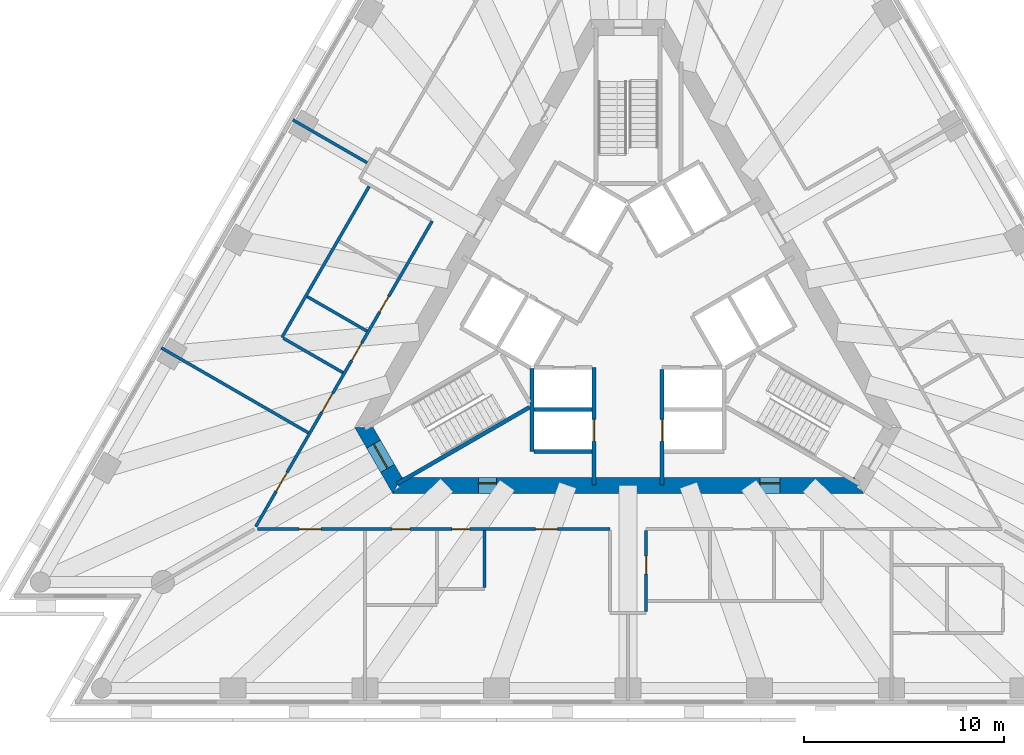
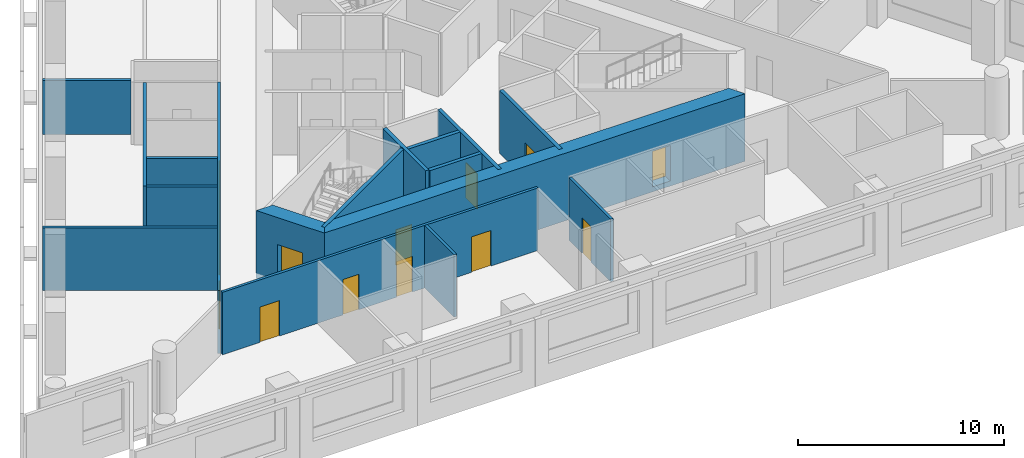
# One storey, part 3 of 10: 17 walls, 14 doors, 14 openings.
"""IFC4 building model written with IfcOpenShell, lengths in metres."""

from ifc_helpers import new_model, si_unit, direction, frame, frame_2d, origin, place, context, subcontext, project, spatial, polyline, rectangle, outline, extrude, material, layer, layer_set, type_object, element, fill, save


model = new_model("IFC4")

# Units and contexts
model_context = context("Model", 3, precision=1e-05, world=origin(), true_north=direction((0.0, 1.0)))
body_context = subcontext(model_context, "Body", "Model", "MODEL_VIEW")
ifc_project = project(units=[si_unit("LENGTHUNIT", "METRE"), si_unit("AREAUNIT", "SQUARE_METRE"), si_unit("VOLUMEUNIT", "CUBIC_METRE"), si_unit("PLANEANGLEUNIT", "RADIAN"), si_unit("MASSUNIT", "GRAM", prefix="KILO")], contexts=[model_context])

# Site, building, storey
site_placement = place(None, origin())
site = spatial("IfcSite", under=ifc_project, at=site_placement, CompositionType="ELEMENT")
building_placement = place(site_placement, origin())
building = spatial("IfcBuilding", under=site, at=building_placement, Name="Triada Interchange Tower", CompositionType="ELEMENT")
storey_placement = place(building_placement, frame((0.0, 0.0, 152.300048828125)))
storey = spatial("IfcBuildingStorey", under=building, at=storey_placement, Name="L35", CompositionType="ELEMENT", Elevation=152.300048828125)

# Walls
ifc_material_1 = material(Name="Concrete C30/37", Category="concrete")
ifc_layer_1 = layer(ifc_material_1, 0.199951171875)
ifc_layer_set_1 = layer_set([ifc_layer_1], Name="CORE WALL 200 EI 120")
wall_type_1 = type_object("IfcWallType", Name="CORE WALL 200 EI 120", PredefinedType="SOLIDWALL", material=ifc_layer_set_1)
wall_1_placement = place(storey_placement, frame((-4.800048828125, -6.89990234375, 0.0), z_axis=(0.0, 0.0, 1.0), x_axis=(0.0, 1.0, 0.0)))
element("IfcWall", 1, at=wall_1_placement, inside=storey, type_object=wall_type_1, Name="Wall L35 53", PredefinedType="SOLIDWALL", context=body_context, shape_type="SweptSolid", body=[
    extrude(rectangle(XDim=4.130859375, YDim=0.199951171875, at=frame_2d((2.0654296875, 0.0))), origin(), (0.0, 0.0, 1.0), 3.699951171875),
])
for number, where, z_axis, x_axis, name in (
    (2, (-4.699951171875, -6.89990234375, 0.0), (0.0, 0.0, 1.0), (1.0, 0.0, 0.0), "Wall L35 54"),
    (3, (-4.699951171875, -4.800048828125, 0.0), (0.0, 0.0, 1.0), (1.0, 0.0, 0.0), "Wall L35 56"),
):
    element("IfcWall", number, at=place(storey_placement, frame(where, z_axis=z_axis, x_axis=x_axis)), inside=storey, type_object=wall_type_1, Name=name, PredefinedType="SOLIDWALL", context=body_context, shape_type="SweptSolid", body=[
        extrude(rectangle(XDim=2.89990234375, YDim=0.199951171875, at=frame_2d((1.449951171875, 0.0))), origin(), (0.0, 0.0, 1.0), 3.699951171875),
    ])

# Wall, opening, door
wall_2_placement = place(storey_placement, frame((-1.699951171875, -8.580078125, 0.0), z_axis=(0.0, 0.0, 1.0), x_axis=(0.0, 1.0, 0.0)))
wall_2 = element("IfcWall", 4, at=wall_2_placement, inside=storey, type_object=wall_type_1, Name="Wall L35 58", PredefinedType="SOLIDWALL", context=body_context, shape_type="SweptSolid", body=[
    extrude(rectangle(XDim=5.877197265625, YDim=0.199951171875, at=frame_2d((2.9384765625, 0.0))), origin(), (0.0, 0.0, 1.0), 3.699951171875),
])
opening_1_placement = place(wall_2_placement, frame((2.179931640625, 0.0, 0.0)))
opening_1 = element("IfcOpeningElement", 5, at=opening_1_placement, cuts=wall_2, Name="Opening LD-LR4", PredefinedType="OPENING", context=body_context, shape_type="SweptSolid", body=[
    extrude(rectangle(XDim=1.10009765625, YDim=2.10009765625, at=frame_2d((0.550048828125, 1.050048828125))), frame((0.0, 0.10986328125, 0.0), z_axis=(0.0, -1.0, 0.0), x_axis=(1.0, 0.0, 0.0)), (0.0, 0.0, 1.0), 0.219970703125),
])
ifc_material_2 = material(Name="Steel S235 door leaf", Category="steel")
door_type_1 = type_object("IfcDoorType", Name="LIFT LANDING DOOR 1100 EI 120", OperationType="SLIDING_TO_LEFT", PredefinedType="DOOR", material=ifc_material_2)
door_1_placement = place(opening_1_placement, origin())
door_1 = element("IfcDoor", 6, at=door_1_placement, inside=storey, type_object=door_type_1, Name="LR4 landing door L35", OperationType="SLIDING_TO_LEFT", OverallHeight=2.10009765625, OverallWidth=1.10009765625, PredefinedType="DOOR", context=body_context, shape_type="SweptSolid", body=[
    extrude(rectangle(XDim=1.10009765625, YDim=2.10009765625, at=frame_2d((0.550048828125, 1.050048828125))), frame((0.0, 0.02490234375, 0.0), z_axis=(0.0, -1.0, 0.0), x_axis=(1.0, 0.0, 0.0)), (0.0, 0.0, 1.0), 0.050048828125),
])
fill(opening_1, door_1)

wall_3_placement = place(storey_placement, frame((1.699951171875, -8.580078125, 0.0), z_axis=(0.0, 0.0, 1.0), x_axis=(0.0, 1.0, 0.0)))
wall_3 = element("IfcWall", 7, at=wall_3_placement, inside=storey, type_object=wall_type_1, Name="Wall L35 65", PredefinedType="SOLIDWALL", context=body_context, shape_type="SweptSolid", body=[
    extrude(rectangle(XDim=5.777099609375, YDim=0.199951171875, at=frame_2d((2.888671875, 0.0))), origin(), (0.0, 0.0, 1.0), 3.699951171875),
])
opening_2_placement = place(wall_3_placement, frame((2.179931640625, 0.0, 0.0)))
opening_2 = element("IfcOpeningElement", 8, at=opening_2_placement, cuts=wall_3, Name="Opening LD-LR2", PredefinedType="OPENING", context=body_context, shape_type="SweptSolid", body=[
    extrude(rectangle(XDim=1.10009765625, YDim=2.10009765625, at=frame_2d((0.550048828125, 1.050048828125))), frame((0.0, 0.10986328125, 0.0), z_axis=(0.0, -1.0, 0.0), x_axis=(1.0, 0.0, 0.0)), (0.0, 0.0, 1.0), 0.219970703125),
])
door_2_placement = place(opening_2_placement, origin())
door_2 = element("IfcDoor", 9, at=door_2_placement, inside=storey, type_object=door_type_1, Name="LR2 landing door L35", OperationType="SLIDING_TO_LEFT", OverallHeight=2.10009765625, OverallWidth=1.10009765625, PredefinedType="DOOR", context=body_context, shape_type="SweptSolid", body=[
    extrude(rectangle(XDim=1.10009765625, YDim=2.10009765625, at=frame_2d((0.550048828125, 1.050048828125))), frame((0.0, 0.02490234375, 0.0), z_axis=(0.0, -1.0, 0.0), x_axis=(1.0, 0.0, 0.0)), (0.0, 0.0, 1.0), 0.050048828125),
])
fill(opening_2, door_2)

# Wall
ifc_layer_2 = layer(ifc_material_1, 0.199951171875)
ifc_layer_set_2 = layer_set([ifc_layer_2], Name="CORE WALL 200 REI 240")
wall_type_2 = type_object("IfcWallType", Name="CORE WALL 200 REI 240", PredefinedType="SOLIDWALL", material=ifc_layer_set_2)
wall_4_placement = place(storey_placement, frame((-11.56689453125, -8.52587890625, 0.0), z_axis=(0.0, 0.0, 1.0), x_axis=(0.866005769735, 0.50003400563, 0.0)))
element("IfcWall", 10, at=wall_4_placement, inside=storey, type_object=wall_type_2, Name="Wall L35 91", PredefinedType="SOLIDWALL", context=body_context, shape_type="SweptSolid", body=[
    extrude(rectangle(XDim=7.6650390625, YDim=0.199951171875, at=frame_2d((3.83251953125, 0.0))), origin(), (0.0, 0.0, 1.0), 3.699951171875),
])

# Wall, opening, door
ifc_material_3 = material(Name="Concrete C60/75", Category="concrete")
ifc_layer_3 = layer(ifc_material_3, 0.800048828125)
ifc_layer_set_3 = layer_set([ifc_layer_3], Name="Core wall B 800")
wall_type_3 = type_object("IfcWallType", Name="Core wall B 800", PredefinedType="SHEAR", material=ifc_layer_set_3)
wall_5_placement = place(storey_placement, frame((-13.220947265625, -5.699951171875, -0.300048828125), z_axis=(0.0, 0.0, 1.0), x_axis=(0.49987182685, -0.866099391942, 0.0)))
wall_5 = element("IfcWall", 11, at=wall_5_placement, inside=storey, type_object=wall_type_3, Name="Core wall WB03 L35", PredefinedType="SHEAR", context=body_context, shape_type="SweptSolid", body=[
    extrude(outline(polyline([(-0.23095703125, -0.39990234375), (1.674072265625, -0.39990234375), (3.5791015625, -0.39990234375), (3.117919921875, 0.39990234375), (1.67431640625, 0.39990234375), (0.23095703125, 0.39990234375), (-0.23095703125, -0.39990234375)])), origin(), (0.0, 0.0, 1.0), 4.0),
])
opening_3_placement = place(wall_5_placement, frame((0.97412109375, 0.0, 0.300048828125)))
opening_3 = element("IfcOpeningElement", 12, at=opening_3_placement, cuts=wall_5, Name="Opening D35-38", PredefinedType="OPENING", context=body_context, shape_type="SweptSolid", body=[
    extrude(rectangle(XDim=1.39990234375, YDim=2.10009765625, at=frame_2d((0.699951171875, 1.050048828125))), frame((0.0, 0.409912109375, 0.0), z_axis=(0.0, -1.0, 0.0), x_axis=(1.0, 0.0, 0.0)), (0.0, 0.0, 1.0), 0.820068359375),
])
door_type_2 = type_object("IfcDoorType", Name="STAIR DOOR 1400 EI2 90-C5S200", OperationType="DOUBLE_DOOR_SINGLE_SWING", PredefinedType="DOOR", material=ifc_material_2)
door_3_placement = place(opening_3_placement, origin())
door_3 = element("IfcDoor", 13, at=door_3_placement, inside=storey, type_object=door_type_2, Name="Door D35-38 L35", OperationType="DOUBLE_DOOR_SINGLE_SWING", OverallHeight=2.10009765625, OverallWidth=1.39990234375, PredefinedType="DOOR", context=body_context, shape_type="SweptSolid", body=[
    extrude(rectangle(XDim=1.39990234375, YDim=2.10009765625, at=frame_2d((0.699951171875, 1.050048828125))), frame((0.0, 0.02490234375, 0.0), z_axis=(0.0, -1.0, 0.0), x_axis=(1.0, 0.0, 0.0)), (0.0, 0.0, 1.0), 0.050048828125),
])
fill(opening_3, door_3)

# Wall, openings, doors
wall_6_placement = place(storey_placement, frame((-11.547119140625, -8.60009765625, -0.300048828125), z_axis=(0.0, 0.0, 1.0), x_axis=(1.0, 0.0, 0.0)))
wall_6 = element("IfcWall", 14, at=wall_6_placement, inside=storey, type_object=wall_type_3, Name="Core wall WB04 L35", PredefinedType="SHEAR", context=body_context, shape_type="SweptSolid", body=[
    extrude(outline(polyline([(-0.23095703125, -0.39990234375), (1.73193359375, -0.39990234375), (3.695068359375, -0.39990234375), (5.657958984375, -0.39990234375), (7.62109375, -0.39990234375), (9.583984375, -0.39990234375), (11.546875, -0.39990234375), (13.510009765625, -0.39990234375), (15.472900390625, -0.39990234375), (17.43603515625, -0.39990234375), (19.39892578125, -0.39990234375), (21.362060546875, -0.39990234375), (23.324951171875, -0.39990234375), (22.863037109375, 0.39990234375), (20.97705078125, 0.39990234375), (19.091064453125, 0.39990234375), (17.205078125, 0.39990234375), (15.319091796875, 0.39990234375), (13.43310546875, 0.39990234375), (11.546875, 0.39990234375), (9.660888671875, 0.39990234375), (7.77490234375, 0.39990234375), (5.888916015625, 0.39990234375), (4.0029296875, 0.39990234375), (2.116943359375, 0.39990234375), (0.23095703125, 0.39990234375), (-0.23095703125, -0.39990234375)])), origin(), (0.0, 0.0, 1.0), 4.0),
])
opening_4_placement = place(wall_6_placement, frame((4.06103515625, 0.0, 0.300048828125)))
opening_4 = element("IfcOpeningElement", 15, at=opening_4_placement, cuts=wall_6, Name="Opening D35-41", PredefinedType="OPENING", context=body_context, shape_type="SweptSolid", body=[
    extrude(rectangle(XDim=0.89990234375, YDim=2.10009765625, at=frame_2d((0.449951171875, 1.050048828125))), frame((0.0, 0.409912109375, 0.0), z_axis=(0.0, -1.0, 0.0), x_axis=(1.0, 0.0, 0.0)), (0.0, 0.0, 1.0), 0.820068359375),
])
opening_5_placement = place(wall_6_placement, frame((18.14306640625, 0.0, 0.300048828125)))
opening_5 = element("IfcOpeningElement", 16, at=opening_5_placement, cuts=wall_6, Name="Opening D35-43", PredefinedType="OPENING", context=body_context, shape_type="SweptSolid", body=[
    extrude(rectangle(XDim=1.0, YDim=2.10009765625, at=frame_2d((0.5, 1.050048828125))), frame((0.0, 0.409912109375, 0.0), z_axis=(0.0, -1.0, 0.0), x_axis=(1.0, 0.0, 0.0)), (0.0, 0.0, 1.0), 0.820068359375),
])
door_type_3 = type_object("IfcDoorType", Name="SERVICE DOOR 1000 EI2 45-C5S200", OperationType="NOTDEFINED", PredefinedType="DOOR", material=ifc_material_2)
door_4_placement = place(opening_5_placement, origin())
door_4 = element("IfcDoor", 17, at=door_4_placement, inside=storey, type_object=door_type_3, Name="Door D35-43 L35", OperationType="SINGLE_SWING_LEFT", OverallHeight=2.10009765625, OverallWidth=1.0, PredefinedType="DOOR", context=body_context, shape_type="SweptSolid", body=[
    extrude(rectangle(XDim=1.0, YDim=2.10009765625, at=frame_2d((0.5, 1.050048828125))), frame((0.0, 0.125, 0.0), z_axis=(0.0, -1.0, 0.0), x_axis=(1.0, 0.0, 0.0)), (0.0, 0.0, 1.0), 0.050048828125),
])
fill(opening_5, door_4)
door_type_4 = type_object("IfcDoorType", Name="SERVICE DOOR 900 EI2 45-C5S200", OperationType="NOTDEFINED", PredefinedType="DOOR", material=ifc_material_2)
door_5_placement = place(opening_4_placement, origin())
door_5 = element("IfcDoor", 18, at=door_5_placement, inside=storey, type_object=door_type_4, Name="Door D35-41 L35", OperationType="SINGLE_SWING_LEFT", OverallHeight=2.10009765625, OverallWidth=0.89990234375, PredefinedType="DOOR", context=body_context, shape_type="SweptSolid", body=[
    extrude(rectangle(XDim=0.89990234375, YDim=2.10009765625, at=frame_2d((0.449951171875, 1.050048828125))), frame((0.0, 0.125, 0.0), z_axis=(0.0, -1.0, 0.0), x_axis=(1.0, 0.0, 0.0)), (0.0, 0.0, 1.0), 0.050048828125),
])
fill(opening_4, door_5)

# Wall
ifc_material_4 = material(Name="Gypsum board partition")
ifc_layer_4 = layer(ifc_material_4, 0.14990234375)
ifc_layer_set_4 = layer_set([ifc_layer_4], Name="PARTITION 150 EI 180")
wall_type_4 = type_object("IfcWallType", Name="PARTITION 150 EI 180", PredefinedType="PARTITIONING", material=ifc_layer_set_4)
wall_7_placement = place(storey_placement, frame((-23.35693359375, -1.72509765625, 0.0), z_axis=(0.0, 0.0, 1.0), x_axis=(0.866045766046, -0.49996472987, 0.0)))
element("IfcWall", 19, at=wall_7_placement, inside=storey, type_object=wall_type_4, Name="Wall L35 3", PredefinedType="PARTITIONING", context=body_context, shape_type="SweptSolid", body=[
    extrude(rectangle(XDim=8.490234375, YDim=0.14990234375, at=frame_2d((4.2451171875, 0.0))), origin(), (0.0, 0.0, 1.0), 3.699951171875),
])

# Wall, openings, doors
wall_8_placement = place(storey_placement, frame((-18.555908203125, -10.800048828125, 0.0), z_axis=(0.0, 0.0, 1.0), x_axis=(1.0, 0.0, 0.0)))
wall_8 = element("IfcWall", 20, at=wall_8_placement, inside=storey, type_object=wall_type_4, Name="Wall L35 4", PredefinedType="PARTITIONING", context=body_context, shape_type="SweptSolid", body=[
    extrude(rectangle(XDim=17.655029296875, YDim=0.14990234375, at=frame_2d((8.82763671875, 0.0))), origin(), (0.0, 0.0, 1.0), 3.699951171875),
])
opening_6_placement = place(wall_8_placement, frame((2.10009765625, 0.0, 0.0)))
opening_6 = element("IfcOpeningElement", 21, at=opening_6_placement, cuts=wall_8, Name="Opening D35-11", PredefinedType="OPENING", context=body_context, shape_type="SweptSolid", body=[
    extrude(rectangle(XDim=1.10009765625, YDim=2.10009765625, at=frame_2d((0.550048828125, 1.050048828125))), frame((0.0, 0.0849609375, 0.0), z_axis=(0.0, -1.0, 0.0), x_axis=(1.0, 0.0, 0.0)), (0.0, 0.0, 1.0), 0.169921875),
])
opening_7_placement = place(wall_8_placement, frame((13.93408203125, 0.0, 0.0)))
opening_7 = element("IfcOpeningElement", 22, at=opening_7_placement, cuts=wall_8, Name="Opening D35-12", PredefinedType="OPENING", context=body_context, shape_type="SweptSolid", body=[
    extrude(rectangle(XDim=1.10009765625, YDim=2.10009765625, at=frame_2d((0.550048828125, 1.050048828125))), frame((0.0, 0.0849609375, 0.0), z_axis=(0.0, -1.0, 0.0), x_axis=(1.0, 0.0, 0.0)), (0.0, 0.0, 1.0), 0.169921875),
])
opening_8_placement = place(wall_8_placement, frame((6.73388671875, 0.0, 0.0)))
opening_8 = element("IfcOpeningElement", 23, at=opening_8_placement, cuts=wall_8, Name="Opening D35-13", PredefinedType="OPENING", context=body_context, shape_type="SweptSolid", body=[
    extrude(rectangle(XDim=0.89990234375, YDim=2.10009765625, at=frame_2d((0.449951171875, 1.050048828125))), frame((0.0, 0.0849609375, 0.0), z_axis=(0.0, -1.0, 0.0), x_axis=(1.0, 0.0, 0.0)), (0.0, 0.0, 1.0), 0.169921875),
])
opening_9_placement = place(wall_8_placement, frame((9.73388671875, 0.0, 0.0)))
opening_9 = element("IfcOpeningElement", 24, at=opening_9_placement, cuts=wall_8, Name="Opening D35-14", PredefinedType="OPENING", context=body_context, shape_type="SweptSolid", body=[
    extrude(rectangle(XDim=0.89990234375, YDim=2.10009765625, at=frame_2d((0.449951171875, 1.050048828125))), frame((0.0, 0.0849609375, 0.0), z_axis=(0.0, -1.0, 0.0), x_axis=(1.0, 0.0, 0.0)), (0.0, 0.0, 1.0), 0.169921875),
])
door_type_5 = type_object("IfcDoorType", Name="ROOM DOOR 900 EI2 90-C5S200", OperationType="NOTDEFINED", PredefinedType="DOOR", material=ifc_material_2)
door_6_placement = place(opening_8_placement, origin())
door_6 = element("IfcDoor", 25, at=door_6_placement, inside=storey, type_object=door_type_5, Name="Door D35-13 L35", OperationType="SINGLE_SWING_RIGHT", OverallHeight=2.10009765625, OverallWidth=0.89990234375, PredefinedType="DOOR", context=body_context, shape_type="SweptSolid", body=[
    extrude(rectangle(XDim=0.89990234375, YDim=2.10009765625, at=frame_2d((0.449951171875, 1.050048828125))), frame((0.0, 0.02490234375, 0.0), z_axis=(0.0, -1.0, 0.0), x_axis=(1.0, 0.0, 0.0)), (0.0, 0.0, 1.0), 0.050048828125),
])
fill(opening_8, door_6)
door_7_placement = place(opening_9_placement, origin())
door_7 = element("IfcDoor", 26, at=door_7_placement, inside=storey, type_object=door_type_5, Name="Door D35-14 L35", OperationType="SINGLE_SWING_RIGHT", OverallHeight=2.10009765625, OverallWidth=0.89990234375, PredefinedType="DOOR", context=body_context, shape_type="SweptSolid", body=[
    extrude(rectangle(XDim=0.89990234375, YDim=2.10009765625, at=frame_2d((0.449951171875, 1.050048828125))), frame((0.0, 0.02490234375, 0.0), z_axis=(0.0, -1.0, 0.0), x_axis=(1.0, 0.0, 0.0)), (0.0, 0.0, 1.0), 0.050048828125),
])
fill(opening_9, door_7)
door_type_6 = type_object("IfcDoorType", Name="TENANCY ENTRANCE DOOR 1100 EI2 90-C5S200", OperationType="NOTDEFINED", PredefinedType="DOOR", material=ifc_material_2)
door_8_placement = place(opening_6_placement, origin())
door_8 = element("IfcDoor", 27, at=door_8_placement, inside=storey, type_object=door_type_6, Name="Door D35-11 L35", OperationType="SINGLE_SWING_RIGHT", OverallHeight=2.10009765625, OverallWidth=1.10009765625, PredefinedType="DOOR", context=body_context, shape_type="SweptSolid", body=[
    extrude(rectangle(XDim=1.10009765625, YDim=2.10009765625, at=frame_2d((0.550048828125, 1.050048828125))), frame((0.0, 0.02490234375, 0.0), z_axis=(0.0, -1.0, 0.0), x_axis=(1.0, 0.0, 0.0)), (0.0, 0.0, 1.0), 0.050048828125),
])
fill(opening_6, door_8)
door_9_placement = place(opening_7_placement, origin())
door_9 = element("IfcDoor", 28, at=door_9_placement, inside=storey, type_object=door_type_6, Name="Door D35-12 L35", OperationType="SINGLE_SWING_LEFT", OverallHeight=2.10009765625, OverallWidth=1.10009765625, PredefinedType="DOOR", context=body_context, shape_type="SweptSolid", body=[
    extrude(rectangle(XDim=1.10009765625, YDim=2.10009765625, at=frame_2d((0.550048828125, 1.050048828125))), frame((0.0, 0.02490234375, 0.0), z_axis=(0.0, -1.0, 0.0), x_axis=(1.0, 0.0, 0.0)), (0.0, 0.0, 1.0), 0.050048828125),
])
fill(opening_7, door_9)

wall_9_placement = place(storey_placement, frame((-18.631103515625, -10.669921875, 0.0), z_axis=(0.0, 0.0, 1.0), x_axis=(0.500017706633, 0.866015180614, 0.0)))
wall_9 = element("IfcWall", 29, at=wall_9_placement, inside=storey, type_object=wall_type_4, Name="Wall L35 6", PredefinedType="PARTITIONING", context=body_context, shape_type="SweptSolid", body=[
    extrude(rectangle(XDim=17.655517578125, YDim=0.14990234375, at=frame_2d((8.82763671875, 0.0))), origin(), (0.0, 0.0, 1.0), 3.699951171875),
])
opening_10_placement = place(wall_9_placement, frame((6.60595703125, 0.0, 0.0)))
opening_10 = element("IfcOpeningElement", 30, at=opening_10_placement, cuts=wall_9, Name="Opening D35-31", PredefinedType="OPENING", context=body_context, shape_type="SweptSolid", body=[
    extrude(rectangle(XDim=1.10009765625, YDim=2.10009765625, at=frame_2d((0.550048828125, 1.050048828125))), frame((0.0, 0.0849609375, 0.0), z_axis=(0.0, -1.0, 0.0), x_axis=(1.0, 0.0, 0.0)), (0.0, 0.0, 1.0), 0.169921875),
])
opening_11_placement = place(wall_9_placement, frame((12.406005859375, 0.0, 0.0)))
opening_11 = element("IfcOpeningElement", 31, at=opening_11_placement, cuts=wall_9, Name="Opening D35-33", PredefinedType="OPENING", context=body_context, shape_type="SweptSolid", body=[
    extrude(rectangle(XDim=0.89990234375, YDim=2.10009765625, at=frame_2d((0.449951171875, 1.050048828125))), frame((0.0, 0.0849609375, 0.0), z_axis=(0.0, -1.0, 0.0), x_axis=(1.0, 0.0, 0.0)), (0.0, 0.0, 1.0), 0.169921875),
])
opening_12_placement = place(wall_9_placement, frame((9.60595703125, 0.0, 0.0)))
opening_12 = element("IfcOpeningElement", 32, at=opening_12_placement, cuts=wall_9, Name="Opening D35-34", PredefinedType="OPENING", context=body_context, shape_type="SweptSolid", body=[
    extrude(rectangle(XDim=1.0, YDim=2.10009765625, at=frame_2d((0.5, 1.050048828125))), frame((0.0, 0.0849609375, 0.0), z_axis=(0.0, -1.0, 0.0), x_axis=(1.0, 0.0, 0.0)), (0.0, 0.0, 1.0), 0.169921875),
])
opening_13_placement = place(wall_9_placement, frame((2.033935546875, 0.0, 0.0)))
opening_13 = element("IfcOpeningElement", 33, at=opening_13_placement, cuts=wall_9, Name="Opening D35-35", PredefinedType="OPENING", context=body_context, shape_type="SweptSolid", body=[
    extrude(rectangle(XDim=1.10009765625, YDim=2.10009765625, at=frame_2d((0.550048828125, 1.050048828125))), frame((0.0, 0.0849609375, 0.0), z_axis=(0.0, -1.0, 0.0), x_axis=(1.0, 0.0, 0.0)), (0.0, 0.0, 1.0), 0.169921875),
])
door_type_7 = type_object("IfcDoorType", Name="ROOM DOOR 1000 EI2 90-C5S200", OperationType="NOTDEFINED", PredefinedType="DOOR", material=ifc_material_2)
door_10_placement = place(opening_12_placement, origin())
door_10 = element("IfcDoor", 34, at=door_10_placement, inside=storey, type_object=door_type_7, Name="Door D35-34 L35", OperationType="SINGLE_SWING_LEFT", OverallHeight=2.10009765625, OverallWidth=1.0, PredefinedType="DOOR", context=body_context, shape_type="SweptSolid", body=[
    extrude(rectangle(XDim=1.0, YDim=2.10009765625, at=frame_2d((0.5, 1.050048828125))), frame((0.0, 0.02490234375, 0.0), z_axis=(0.0, -1.0, 0.0), x_axis=(1.0, 0.0, 0.0)), (0.0, 0.0, 1.0), 0.050048828125),
])
fill(opening_12, door_10)
door_11_placement = place(opening_11_placement, origin())
door_11 = element("IfcDoor", 35, at=door_11_placement, inside=storey, type_object=door_type_5, Name="Door D35-33 L35", OperationType="SINGLE_SWING_RIGHT", OverallHeight=2.10009765625, OverallWidth=0.89990234375, PredefinedType="DOOR", context=body_context, shape_type="SweptSolid", body=[
    extrude(rectangle(XDim=0.89990234375, YDim=2.10009765625, at=frame_2d((0.449951171875, 1.050048828125))), frame((0.0, 0.02490234375, 0.0), z_axis=(0.0, -1.0, 0.0), x_axis=(1.0, 0.0, 0.0)), (0.0, 0.0, 1.0), 0.050048828125),
])
fill(opening_11, door_11)
door_12_placement = place(opening_10_placement, origin())
door_12 = element("IfcDoor", 36, at=door_12_placement, inside=storey, type_object=door_type_6, Name="Door D35-31 L35", OperationType="SINGLE_SWING_LEFT", OverallHeight=2.10009765625, OverallWidth=1.10009765625, PredefinedType="DOOR", context=body_context, shape_type="SweptSolid", body=[
    extrude(rectangle(XDim=1.10009765625, YDim=2.10009765625, at=frame_2d((0.550048828125, 1.050048828125))), frame((0.0, 0.02490234375, 0.0), z_axis=(0.0, -1.0, 0.0), x_axis=(1.0, 0.0, 0.0)), (0.0, 0.0, 1.0), 0.050048828125),
])
fill(opening_10, door_12)
door_13_placement = place(opening_13_placement, origin())
door_13 = element("IfcDoor", 37, at=door_13_placement, inside=storey, type_object=door_type_6, Name="Door D35-35 L35", OperationType="SINGLE_SWING_LEFT", OverallHeight=2.10009765625, OverallWidth=1.10009765625, PredefinedType="DOOR", context=body_context, shape_type="SweptSolid", body=[
    extrude(rectangle(XDim=1.10009765625, YDim=2.10009765625, at=frame_2d((0.550048828125, 1.050048828125))), frame((0.0, 0.02490234375, 0.0), z_axis=(0.0, -1.0, 0.0), x_axis=(1.0, 0.0, 0.0)), (0.0, 0.0, 1.0), 0.050048828125),
])
fill(opening_13, door_13)

# Walls
wall_10_placement = place(storey_placement, frame((-16.77099609375, 9.68310546875, 0.0), z_axis=(0.0, 0.0, 1.0), x_axis=(0.866070942811, -0.499921115796, 0.0)))
element("IfcWall", 38, at=wall_10_placement, inside=storey, type_object=wall_type_4, Name="Wall L35 8", PredefinedType="PARTITIONING", context=body_context, shape_type="SweptSolid", body=[
    extrude(rectangle(XDim=4.290771484375, YDim=0.14990234375, at=frame_2d((2.1455078125, 0.0))), origin(), (0.0, 0.0, 1.0), 3.199951171875),
])
wall_11_placement = place(storey_placement, frame((-17.321044921875, -1.199951171875, 0.0), z_axis=(0.0, 0.0, 1.0), x_axis=(0.500054279689, 0.865994063124, 0.0)))
element("IfcWall", 39, at=wall_11_placement, inside=storey, type_object=wall_type_4, Name="Wall L35 10", PredefinedType="PARTITIONING", context=body_context, shape_type="SweptSolid", body=[
    extrude(rectangle(XDim=8.72509765625, YDim=0.14990234375, at=frame_2d((4.362548828125, 0.0))), origin(), (0.0, 0.0, 1.0), 3.699951171875),
])
wall_12_placement = place(storey_placement, frame((-17.256103515625, -1.238037109375, 0.0), z_axis=(0.0, 0.0, 1.0), x_axis=(0.866061862632, -0.499936846106, 0.0)))
element("IfcWall", 40, at=wall_12_placement, inside=storey, type_object=wall_type_4, Name="Wall L35 11", PredefinedType="PARTITIONING", context=body_context, shape_type="SweptSolid", body=[
    extrude(rectangle(XDim=3.4501953125, YDim=0.14990234375, at=frame_2d((1.72509765625, 0.0))), origin(), (0.0, 0.0, 1.0), 3.699951171875),
])
wall_13_placement = place(storey_placement, frame((-16.055908203125, 0.841064453125, 0.0), z_axis=(0.0, 0.0, 1.0), x_axis=(0.866013532718, -0.500020560727, 0.0)))
element("IfcWall", 41, at=wall_13_placement, inside=storey, type_object=wall_type_4, Name="Wall L35 12", PredefinedType="PARTITIONING", context=body_context, shape_type="SweptSolid", body=[
    extrude(rectangle(XDim=3.449951171875, YDim=0.14990234375, at=frame_2d((1.72509765625, 0.0))), origin(), (0.0, 0.0, 1.0), 3.699951171875),
])
wall_14_placement = place(storey_placement, frame((-7.172119140625, -13.72509765625, 0.0), z_axis=(0.0, 0.0, 1.0), x_axis=(0.0, 1.0, 0.0)))
element("IfcWall", 42, at=wall_14_placement, inside=storey, type_object=wall_type_4, Name="Wall L35 22", PredefinedType="PARTITIONING", context=body_context, shape_type="SweptSolid", body=[
    extrude(rectangle(XDim=2.85009765625, YDim=0.14990234375, at=frame_2d((1.425048828125, 0.0))), origin(), (0.0, 0.0, 1.0), 3.699951171875),
])

# Wall, opening, door
wall_15_placement = place(storey_placement, frame((0.89990234375, -14.925048828125, 0.0), z_axis=(0.0, 0.0, 1.0), x_axis=(0.0, 1.0, 0.0)))
wall_15 = element("IfcWall", 43, at=wall_15_placement, inside=storey, type_object=wall_type_4, Name="Wall L35 27", PredefinedType="PARTITIONING", context=body_context, shape_type="SweptSolid", body=[
    extrude(rectangle(XDim=4.049072265625, YDim=0.14990234375, at=frame_2d((2.0244140625, 0.0))), origin(), (0.0, 0.0, 1.0), 3.699951171875),
])
opening_14_placement = place(wall_15_placement, frame((1.875, 0.0, 0.0)))
opening_14 = element("IfcOpeningElement", 44, at=opening_14_placement, cuts=wall_15, Name="Opening D35-16", PredefinedType="OPENING", context=body_context, shape_type="SweptSolid", body=[
    extrude(rectangle(XDim=0.89990234375, YDim=2.10009765625, at=frame_2d((0.449951171875, 1.050048828125))), frame((0.0, 0.0849609375, 0.0), z_axis=(0.0, -1.0, 0.0), x_axis=(1.0, 0.0, 0.0)), (0.0, 0.0, 1.0), 0.169921875),
])
door_14_placement = place(opening_14_placement, origin())
door_14 = element("IfcDoor", 45, at=door_14_placement, inside=storey, type_object=door_type_5, Name="Door D35-16 L35", OperationType="SINGLE_SWING_LEFT", OverallHeight=2.10009765625, OverallWidth=0.89990234375, PredefinedType="DOOR", context=body_context, shape_type="SweptSolid", body=[
    extrude(rectangle(XDim=0.89990234375, YDim=2.10009765625, at=frame_2d((0.449951171875, 1.050048828125))), frame((0.0, 0.02490234375, 0.0), z_axis=(0.0, -1.0, 0.0), x_axis=(1.0, 0.0, 0.0)), (0.0, 0.0, 1.0), 0.050048828125),
])
fill(opening_14, door_14)

save(model, "model.ifc")
